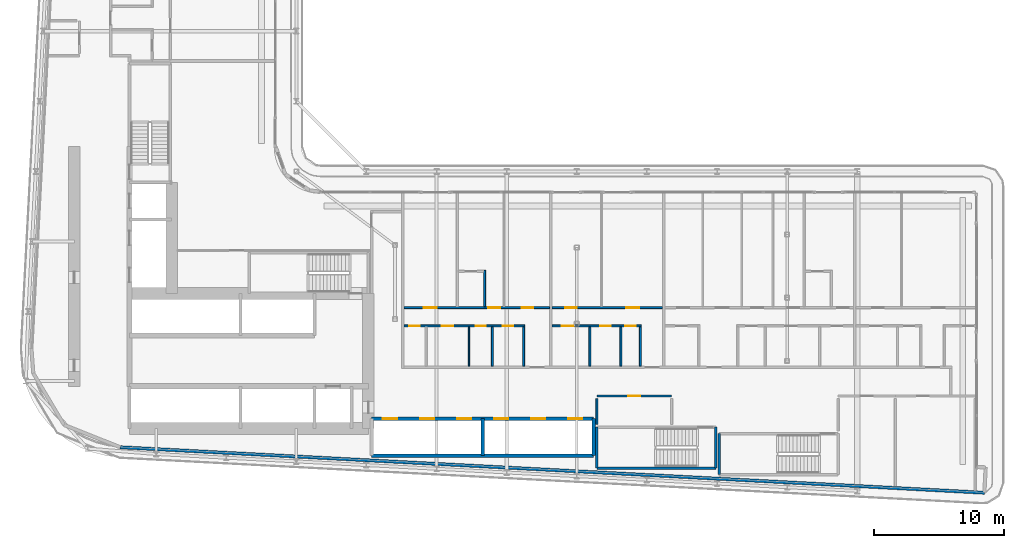
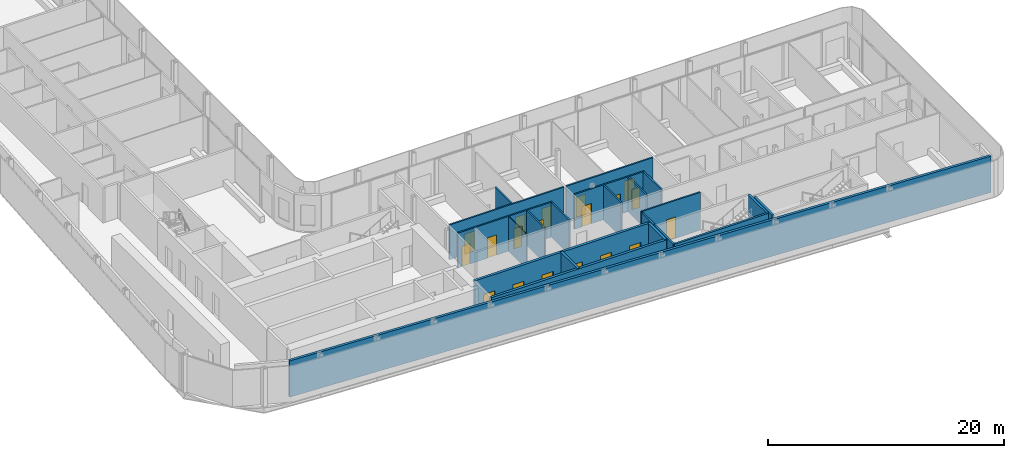
# One storey, part 13 of 25: 22 walls, 19 doors, 19 openings.
"""IFC4 building model written with IfcOpenShell, lengths in metres."""

from ifc_helpers import new_model, si_unit, direction, frame, frame_2d, origin, place, context, subcontext, project, spatial, rectangle, extrude, source, transform, mapped, material, layer, layer_set, type_object, element, fill, save


model = new_model("IFC4")

# Units and contexts
model_context = context("Model", 3, precision=1e-05, world=origin(), true_north=direction((0.0, 1.0)))
body_context = subcontext(model_context, "Body", "Model", "MODEL_VIEW")
ifc_project = project(units=[si_unit("LENGTHUNIT", "METRE"), si_unit("AREAUNIT", "SQUARE_METRE"), si_unit("VOLUMEUNIT", "CUBIC_METRE"), si_unit("PLANEANGLEUNIT", "RADIAN"), si_unit("MASSUNIT", "GRAM", prefix="KILO")], contexts=[model_context])

# Site, building, storey
site_placement = place(None, origin())
site = spatial("IfcSite", under=ifc_project, at=site_placement, CompositionType="ELEMENT")
building_placement = place(site_placement, origin())
building = spatial("IfcBuilding", under=site, at=building_placement, Name="Kheshtan School and Residences Tower", CompositionType="ELEMENT")
storey_placement = place(building_placement, frame((0.0, 0.0, 109.699951171875)))
storey = spatial("IfcBuildingStorey", under=building, at=storey_placement, Name="L25", CompositionType="ELEMENT", Elevation=109.699951171875)

# Walls
ifc_material_1 = material(Name="Concrete C40/50 with ceramic cladding and mineral wool insulation", Category="concrete")
ifc_layer_1 = layer(ifc_material_1, 0.25)
ifc_layer_set_1 = layer_set([ifc_layer_1], Name="External wall 250 ceramic clad")
wall_type_1 = type_object("IfcWallType", Name="External wall 250 ceramic clad", PredefinedType="SOLIDWALL", material=ifc_layer_set_1)
wall_1_placement = place(storey_placement, frame((100.5859375, 20.85009765625, 0.0), z_axis=(0.0, 0.0, 1.0), x_axis=(-0.99861746497, 0.052565755559, 0.0)))
element("IfcWall", 1, at=wall_1_placement, inside=storey, type_object=wall_type_1, Name="External wall L25 12", PredefinedType="SOLIDWALL", context=body_context, shape_type="SweptSolid", body=[
    extrude(rectangle(XDim=66.638916015625, YDim=0.25, at=frame_2d((33.3193359375, 0.0))), origin(), (0.0, 0.0, 1.0), 3.75),
])
ifc_material_2 = material(Name="Gypsum board on steel studs", Category="steel")
ifc_layer_2 = layer(ifc_material_2, 0.10009765625)
ifc_layer_set_2 = layer_set([ifc_layer_2], Name="Gypsum partition 100")
wall_type_2 = type_object("IfcWallType", Name="Gypsum partition 100", PredefinedType="PARTITIONING", material=ifc_layer_set_2)
wall_2_placement = place(storey_placement, frame((60.89990234375, 30.60009765625, 0.0), z_axis=(0.0, 0.0, 1.0), x_axis=(0.0, 1.0, 0.0)))
element("IfcWall", 2, at=wall_2_placement, inside=storey, type_object=wall_type_2, Name="Partition L25-039", PredefinedType="PARTITIONING", context=body_context, shape_type="SweptSolid", body=[
    extrude(rectangle(XDim=3.02490234375, YDim=0.10009765625, at=frame_2d((1.512451171875, 0.0))), origin(), (0.0, 0.0, 1.0), 3.60009765625),
])

# Wall, opening, door
ifc_material_3 = material(Name="Fire-board shaft wall system")
ifc_layer_3 = layer(ifc_material_3, 0.14990234375)
ifc_layer_set_3 = layer_set([ifc_layer_3], Name="Service room wall 150")
wall_type_3 = type_object("IfcWallType", Name="Service room wall 150", PredefinedType="PARTITIONING", material=ifc_layer_set_3)
wall_3_placement = place(storey_placement, frame((70.75, 28.300048828125, 0.0), z_axis=(0.0, 0.0, 1.0), x_axis=(1.0, 0.0, 0.0)))
wall_3 = element("IfcWall", 3, at=wall_3_placement, inside=storey, type_object=wall_type_3, Name="Service room wall", PredefinedType="PARTITIONING", context=body_context, shape_type="SweptSolid", body=[
    extrude(rectangle(XDim=5.760009765625, YDim=0.14990234375, at=frame_2d((2.8798828125, 0.0))), origin(), (0.0, 0.0, 1.0), 3.900146484375),
])
opening_1_placement = place(wall_3_placement, frame((2.429931640625, 0.0, 0.0)))
opening_1 = element("IfcOpeningElement", 4, at=opening_1_placement, cuts=wall_3, Name="Opening SR90", PredefinedType="OPENING", context=body_context, shape_type="SweptSolid", body=[
    extrude(rectangle(XDim=0.89990234375, YDim=2.199951171875, at=frame_2d((0.449951171875, 1.10009765625))), frame((0.0, 0.0849609375, 0.0), z_axis=(0.0, -1.0, 0.0), x_axis=(1.0, 0.0, 0.0)), (0.0, 0.0, 1.0), 0.169921875),
])
ifc_material_4 = material(Name="Steel door leaf, galvanised", Category="steel")
door_type_1 = type_object("IfcDoorType", Name="Service room door 900 steel 90 min", OperationType="SINGLE_SWING_LEFT", PredefinedType="DOOR", material=ifc_material_4)
shared_shape_1 = source(origin(), body_context, "Body", "SweptSolid", [
    extrude(rectangle(XDim=0.89990234375, YDim=2.199951171875, at=frame_2d((0.449951171875, 1.10009765625))), frame((0.0, 0.02490234375, 0.0), z_axis=(0.0, -1.0, 0.0), x_axis=(1.0, 0.0, 0.0)), (0.0, 0.0, 1.0), 0.050048828125),
])
door_1_placement = place(opening_1_placement, origin())
door_1 = element("IfcDoor", 5, at=door_1_placement, inside=storey, type_object=door_type_1, Name="Service room door", OperationType="SINGLE_SWING_LEFT", OverallHeight=2.199951171875, OverallWidth=0.89990234375, PredefinedType="DOOR", context=body_context, shape_type="MappedRepresentation", body=[
    mapped(shared_shape_1, transform((0.0, 0.0, 0.0), x_axis=(1.0, 0.0, 0.0), y_axis=(0.0, 1.0, 0.0), z_axis=(0.0, 0.0, 1.0), scale=1.0)),
])
fill(opening_1, door_1)

# Walls
wall_4_placement = place(storey_placement, frame((70.75, 26.1201171875, 0.0), z_axis=(0.0, 0.0, 1.0), x_axis=(0.0, 1.0, 0.0)))
element("IfcWall", 6, at=wall_4_placement, inside=storey, type_object=wall_type_3, Name="Service room wall", PredefinedType="PARTITIONING", context=body_context, shape_type="SweptSolid", body=[
    extrude(rectangle(XDim=1.98486328125, YDim=0.14990234375, at=frame_2d((0.992431640625, 0.0))), origin(), (0.0, 0.0, 1.0), 3.900146484375),
])
ifc_layer_4 = layer(ifc_material_3, 0.25)
ifc_layer_set_4 = layer_set([ifc_layer_4], Name="Shaft lining wall 250")
wall_type_4 = type_object("IfcWallType", Name="Shaft lining wall 250", PredefinedType="PARTITIONING", material=ifc_layer_set_4)
for number, where, z_axis, x_axis, name in (
    (7, (61.949951171875, 23.699951171875, 0.0), (0.0, 0.0, 1.0), (0.0, 1.0, 0.0), "Shaft lining wall"),
    (8, (70.5, 23.699951171875, 0.0), (0.0, 0.0, 1.0), (0.0, 1.0, 0.0), "Shaft lining wall"),
):
    element("IfcWall", number, at=place(storey_placement, frame(where, z_axis=z_axis, x_axis=x_axis)), inside=storey, type_object=wall_type_4, Name=name, PredefinedType="PARTITIONING", context=body_context, shape_type="SweptSolid", body=[
        extrude(rectangle(XDim=2.85009765625, YDim=0.25, at=frame_2d((1.425048828125, 0.0))), origin(), (0.0, 0.0, 1.0), 3.900146484375),
    ])
wall_5_placement = place(storey_placement, frame((53.39990234375, 23.699951171875, 0.0), z_axis=(0.0, 0.0, 1.0), x_axis=(1.0, 0.0, 0.0)))
element("IfcWall", 9, at=wall_5_placement, inside=storey, type_object=wall_type_4, Name="Shaft lining wall", PredefinedType="PARTITIONING", context=body_context, shape_type="SweptSolid", body=[
    extrude(rectangle(XDim=17.10009765625, YDim=0.25, at=frame_2d((8.550048828125, 0.0))), origin(), (0.0, 0.0, 1.0), 3.900146484375),
])

# Wall, openings, doors
wall_6_placement = place(storey_placement, frame((53.39990234375, 26.550048828125, 0.0), z_axis=(0.0, 0.0, 1.0), x_axis=(1.0, 0.0, 0.0)))
wall_6 = element("IfcWall", 10, at=wall_6_placement, inside=storey, type_object=wall_type_4, Name="Shaft lining wall", PredefinedType="PARTITIONING", context=body_context, shape_type="SweptSolid", body=[
    extrude(rectangle(XDim=17.10009765625, YDim=0.25, at=frame_2d((8.550048828125, 0.0))), origin(), (0.0, 0.0, 1.0), 3.900146484375),
])
opening_2_placement = place(wall_6_placement, frame((0.875, 0.0, 0.0)))
opening_2 = element("IfcOpeningElement", 11, at=opening_2_placement, cuts=wall_6, Name="Opening LD", PredefinedType="OPENING", context=body_context, shape_type="SweptSolid", body=[
    extrude(rectangle(XDim=1.10009765625, YDim=2.199951171875, at=frame_2d((0.550048828125, 1.10009765625))), frame((0.0, 0.135009765625, 0.0), z_axis=(0.0, -1.0, 0.0), x_axis=(1.0, 0.0, 0.0)), (0.0, 0.0, 1.0), 0.27001953125),
])
opening_3_placement = place(wall_6_placement, frame((3.72509765625, 0.0, 0.0)))
opening_3 = element("IfcOpeningElement", 12, at=opening_3_placement, cuts=wall_6, Name="Opening LD", PredefinedType="OPENING", context=body_context, shape_type="SweptSolid", body=[
    extrude(rectangle(XDim=1.10009765625, YDim=2.199951171875, at=frame_2d((0.550048828125, 1.10009765625))), frame((0.0, 0.135009765625, 0.0), z_axis=(0.0, -1.0, 0.0), x_axis=(1.0, 0.0, 0.0)), (0.0, 0.0, 1.0), 0.27001953125),
])
opening_4_placement = place(wall_6_placement, frame((6.574951171875, 0.0, 0.0)))
opening_4 = element("IfcOpeningElement", 13, at=opening_4_placement, cuts=wall_6, Name="Opening LD", PredefinedType="OPENING", context=body_context, shape_type="SweptSolid", body=[
    extrude(rectangle(XDim=1.10009765625, YDim=2.199951171875, at=frame_2d((0.550048828125, 1.10009765625))), frame((0.0, 0.135009765625, 0.0), z_axis=(0.0, -1.0, 0.0), x_axis=(1.0, 0.0, 0.0)), (0.0, 0.0, 1.0), 0.27001953125),
])
opening_5_placement = place(wall_6_placement, frame((9.425048828125, 0.0, 0.0)))
opening_5 = element("IfcOpeningElement", 14, at=opening_5_placement, cuts=wall_6, Name="Opening LD", PredefinedType="OPENING", context=body_context, shape_type="SweptSolid", body=[
    extrude(rectangle(XDim=1.10009765625, YDim=2.199951171875, at=frame_2d((0.550048828125, 1.10009765625))), frame((0.0, 0.135009765625, 0.0), z_axis=(0.0, -1.0, 0.0), x_axis=(1.0, 0.0, 0.0)), (0.0, 0.0, 1.0), 0.27001953125),
])
opening_6_placement = place(wall_6_placement, frame((12.27490234375, 0.0, 0.0)))
opening_6 = element("IfcOpeningElement", 15, at=opening_6_placement, cuts=wall_6, Name="Opening LD", PredefinedType="OPENING", context=body_context, shape_type="SweptSolid", body=[
    extrude(rectangle(XDim=1.10009765625, YDim=2.199951171875, at=frame_2d((0.550048828125, 1.10009765625))), frame((0.0, 0.135009765625, 0.0), z_axis=(0.0, -1.0, 0.0), x_axis=(1.0, 0.0, 0.0)), (0.0, 0.0, 1.0), 0.27001953125),
])
opening_7_placement = place(wall_6_placement, frame((15.125, 0.0, 0.0)))
opening_7 = element("IfcOpeningElement", 16, at=opening_7_placement, cuts=wall_6, Name="Opening LD", PredefinedType="OPENING", context=body_context, shape_type="SweptSolid", body=[
    extrude(rectangle(XDim=1.10009765625, YDim=2.199951171875, at=frame_2d((0.550048828125, 1.10009765625))), frame((0.0, 0.135009765625, 0.0), z_axis=(0.0, -1.0, 0.0), x_axis=(1.0, 0.0, 0.0)), (0.0, 0.0, 1.0), 0.27001953125),
])
ifc_material_5 = material(Name="Stainless steel door leaves", Category="steel")
door_type_2 = type_object("IfcDoorType", Name="Lift landing door 1100", OperationType="SLIDING_TO_LEFT", PredefinedType="DOOR", material=ifc_material_5)
shared_shape_2 = source(origin(), body_context, "Body", "SweptSolid", [
    extrude(rectangle(XDim=1.10009765625, YDim=2.199951171875, at=frame_2d((0.550048828125, 1.10009765625))), frame((0.0, 0.02490234375, 0.0), z_axis=(0.0, -1.0, 0.0), x_axis=(1.0, 0.0, 0.0)), (0.0, 0.0, 1.0), 0.050048828125),
])
door_2_placement = place(opening_2_placement, origin())
door_2 = element("IfcDoor", 17, at=door_2_placement, inside=storey, type_object=door_type_2, Name="Lift P1 landing door", OperationType="SLIDING_TO_LEFT", OverallHeight=2.199951171875, OverallWidth=1.10009765625, PredefinedType="DOOR", context=body_context, shape_type="MappedRepresentation", body=[
    mapped(shared_shape_2, transform((0.0, 0.0, 0.0), x_axis=(1.0, 0.0, 0.0), y_axis=(0.0, 1.0, 0.0), z_axis=(0.0, 0.0, 1.0), scale=1.0)),
])
fill(opening_2, door_2)
door_3_placement = place(opening_3_placement, origin())
door_3 = element("IfcDoor", 18, at=door_3_placement, inside=storey, type_object=door_type_2, Name="Lift P2 landing door", OperationType="SLIDING_TO_LEFT", OverallHeight=2.199951171875, OverallWidth=1.10009765625, PredefinedType="DOOR", context=body_context, shape_type="MappedRepresentation", body=[
    mapped(shared_shape_2, transform((0.0, 0.0, 0.0), x_axis=(1.0, 0.0, 0.0), y_axis=(0.0, 1.0, 0.0), z_axis=(0.0, 0.0, 1.0), scale=1.0)),
])
fill(opening_3, door_3)
door_4_placement = place(opening_4_placement, origin())
door_4 = element("IfcDoor", 19, at=door_4_placement, inside=storey, type_object=door_type_2, Name="Lift P3 landing door", OperationType="SLIDING_TO_LEFT", OverallHeight=2.199951171875, OverallWidth=1.10009765625, PredefinedType="DOOR", context=body_context, shape_type="MappedRepresentation", body=[
    mapped(shared_shape_2, transform((0.0, 0.0, 0.0), x_axis=(1.0, 0.0, 0.0), y_axis=(0.0, 1.0, 0.0), z_axis=(0.0, 0.0, 1.0), scale=1.0)),
])
fill(opening_4, door_4)
door_5_placement = place(opening_5_placement, origin())
door_5 = element("IfcDoor", 20, at=door_5_placement, inside=storey, type_object=door_type_2, Name="Lift P4 landing door", OperationType="SLIDING_TO_LEFT", OverallHeight=2.199951171875, OverallWidth=1.10009765625, PredefinedType="DOOR", context=body_context, shape_type="MappedRepresentation", body=[
    mapped(shared_shape_2, transform((0.0, 0.0, 0.0), x_axis=(1.0, 0.0, 0.0), y_axis=(0.0, 1.0, 0.0), z_axis=(0.0, 0.0, 1.0), scale=1.0)),
])
fill(opening_5, door_5)
door_6_placement = place(opening_6_placement, origin())
door_6 = element("IfcDoor", 21, at=door_6_placement, inside=storey, type_object=door_type_2, Name="Lift P5 landing door", OperationType="SLIDING_TO_LEFT", OverallHeight=2.199951171875, OverallWidth=1.10009765625, PredefinedType="DOOR", context=body_context, shape_type="MappedRepresentation", body=[
    mapped(shared_shape_2, transform((0.0, 0.0, 0.0), x_axis=(1.0, 0.0, 0.0), y_axis=(0.0, 1.0, 0.0), z_axis=(0.0, 0.0, 1.0), scale=1.0)),
])
fill(opening_6, door_6)
door_7_placement = place(opening_7_placement, origin())
door_7 = element("IfcDoor", 22, at=door_7_placement, inside=storey, type_object=door_type_2, Name="Lift P6 landing door", OperationType="SLIDING_TO_LEFT", OverallHeight=2.199951171875, OverallWidth=1.10009765625, PredefinedType="DOOR", context=body_context, shape_type="MappedRepresentation", body=[
    mapped(shared_shape_2, transform((0.0, 0.0, 0.0), x_axis=(1.0, 0.0, 0.0), y_axis=(0.0, 1.0, 0.0), z_axis=(0.0, 0.0, 1.0), scale=1.0)),
])
fill(opening_7, door_7)

# Walls
ifc_material_6 = material(Name="Concrete C40/50", Category="concrete")
ifc_layer_5 = layer(ifc_material_6, 0.199951171875)
ifc_layer_set_5 = layer_set([ifc_layer_5], Name="Stair enclosure wall 200 Concrete C40/50")
wall_type_5 = type_object("IfcWallType", Name="Stair enclosure wall 200 Concrete C40/50", PredefinedType="SHEAR", material=ifc_layer_set_5)
wall_7_placement = place(storey_placement, frame((80.159912109375, 22.25, 0.0), z_axis=(0.0, 0.0, 1.0), x_axis=(0.0, 1.0, 0.0)))
element("IfcWall", 23, at=wall_7_placement, inside=storey, type_object=wall_type_5, Name="Stair enclosure wall ST4", PredefinedType="SHEAR", context=body_context, shape_type="SweptSolid", body=[
    extrude(rectangle(XDim=3.14990234375, YDim=0.199951171875, at=frame_2d((1.574951171875, 0.0))), origin(), (0.0, 0.0, 1.0), 3.900146484375),
])
wall_8_placement = place(storey_placement, frame((70.75, 22.75, 0.0), z_axis=(0.0, 0.0, 1.0), x_axis=(1.0, 0.0, 0.0)))
element("IfcWall", 24, at=wall_8_placement, inside=storey, type_object=wall_type_5, Name="Stair enclosure wall ST5", PredefinedType="SHEAR", context=body_context, shape_type="SweptSolid", body=[
    extrude(rectangle(XDim=9.159912109375, YDim=0.199951171875, at=frame_2d((4.580078125, 0.0))), origin(), (0.0, 0.0, 1.0), 3.900146484375),
])
for number, where, z_axis, x_axis, name in (
    (25, (70.75, 22.75, 0.0), (0.0, 0.0, 1.0), (0.0, 1.0, 0.0), "Stair enclosure wall ST5"),
    (26, (79.909912109375, 22.75, 0.0), (0.0, 0.0, 1.0), (0.0, 1.0, 0.0), "Stair enclosure wall ST5"),
):
    element("IfcWall", number, at=place(storey_placement, frame(where, z_axis=z_axis, x_axis=x_axis)), inside=storey, type_object=wall_type_5, Name=name, PredefinedType="SHEAR", context=body_context, shape_type="SweptSolid", body=[
        extrude(rectangle(XDim=3.14990234375, YDim=0.199951171875, at=frame_2d((1.574951171875, 0.0))), origin(), (0.0, 0.0, 1.0), 3.900146484375),
    ])

# Wall, openings, doors
ifc_material_7 = material(Name="Moisture-resistant gypsum board on steel studs", Category="steel")
ifc_layer_6 = layer(ifc_material_7, 0.14990234375)
ifc_layer_set_6 = layer_set([ifc_layer_6], Name="Wet-room partition 150")
wall_type_6 = type_object("IfcWallType", Name="Wet-room partition 150", PredefinedType="PARTITIONING", material=ifc_layer_set_6)
wall_9_placement = place(storey_placement, frame((55.89990234375, 33.699951171875, 0.0), z_axis=(0.0, 0.0, 1.0), x_axis=(1.0, 0.0, 0.0)))
wall_9 = element("IfcWall", 27, at=wall_9_placement, inside=storey, type_object=wall_type_6, Name="Partition L25-034", PredefinedType="PARTITIONING", context=body_context, shape_type="SweptSolid", body=[
    extrude(rectangle(XDim=9.275146484375, YDim=0.14990234375, at=frame_2d((4.6376953125, 0.0))), origin(), (0.0, 0.0, 1.0), 3.60009765625),
])
opening_8_placement = place(wall_9_placement, frame((7.60009765625, 0.0, 0.0)))
opening_8 = element("IfcOpeningElement", 28, at=opening_8_placement, cuts=wall_9, Name="Opening D25-001", PredefinedType="OPENING", context=body_context, shape_type="SweptSolid", body=[
    extrude(rectangle(XDim=0.800048828125, YDim=2.10009765625, at=frame_2d((0.39990234375, 1.050048828125))), frame((0.0, 0.0849609375, 0.0), z_axis=(0.0, -1.0, 0.0), x_axis=(1.0, 0.0, 0.0)), (0.0, 0.0, 1.0), 0.169921875),
])
opening_9_placement = place(wall_9_placement, frame((2.89990234375, 0.0, 0.0)))
opening_9 = element("IfcOpeningElement", 29, at=opening_9_placement, cuts=wall_9, Name="Opening D25-005", PredefinedType="OPENING", context=body_context, shape_type="SweptSolid", body=[
    extrude(rectangle(XDim=0.89990234375, YDim=2.10009765625, at=frame_2d((0.449951171875, 1.050048828125))), frame((0.0, 0.0849609375, 0.0), z_axis=(0.0, -1.0, 0.0), x_axis=(1.0, 0.0, 0.0)), (0.0, 0.0, 1.0), 0.169921875),
])
opening_10_placement = place(wall_9_placement, frame((5.5, 0.0, 0.0)))
opening_10 = element("IfcOpeningElement", 30, at=opening_10_placement, cuts=wall_9, Name="Opening D25-008", PredefinedType="OPENING", context=body_context, shape_type="SweptSolid", body=[
    extrude(rectangle(XDim=0.800048828125, YDim=2.10009765625, at=frame_2d((0.39990234375, 1.050048828125))), frame((0.0, 0.0849609375, 0.0), z_axis=(0.0, -1.0, 0.0), x_axis=(1.0, 0.0, 0.0)), (0.0, 0.0, 1.0), 0.169921875),
])
opening_11_placement = place(wall_9_placement, frame((0.39990234375, 0.0, 0.0)))
opening_11 = element("IfcOpeningElement", 31, at=opening_11_placement, cuts=wall_9, Name="Opening D25-009", PredefinedType="OPENING", context=body_context, shape_type="SweptSolid", body=[
    extrude(rectangle(XDim=0.800048828125, YDim=2.10009765625, at=frame_2d((0.39990234375, 1.050048828125))), frame((0.0, 0.0849609375, 0.0), z_axis=(0.0, -1.0, 0.0), x_axis=(1.0, 0.0, 0.0)), (0.0, 0.0, 1.0), 0.169921875),
])
ifc_material_8 = material(Name="Veneered timber door leaf", Category="wood")
door_type_3 = type_object("IfcDoorType", Name="Door 800 x 2100", OperationType="SINGLE_SWING_LEFT", PredefinedType="DOOR", material=ifc_material_8)
shared_shape_3 = source(origin(), body_context, "Body", "SweptSolid", [
    extrude(rectangle(XDim=0.800048828125, YDim=2.10009765625, at=frame_2d((0.39990234375, 1.050048828125))), frame((0.0, 0.02490234375, 0.0), z_axis=(0.0, -1.0, 0.0), x_axis=(1.0, 0.0, 0.0)), (0.0, 0.0, 1.0), 0.050048828125),
])
door_8_placement = place(opening_8_placement, origin())
door_8 = element("IfcDoor", 32, at=door_8_placement, inside=storey, type_object=door_type_3, Name="Door D25-001", OperationType="SINGLE_SWING_LEFT", OverallHeight=2.10009765625, OverallWidth=0.800048828125, PredefinedType="DOOR", context=body_context, shape_type="MappedRepresentation", body=[
    mapped(shared_shape_3, transform((0.0, 0.0, 0.0), x_axis=(1.0, 0.0, 0.0), y_axis=(0.0, 1.0, 0.0), z_axis=(0.0, 0.0, 1.0), scale=1.0)),
])
fill(opening_8, door_8)
door_9_placement = place(opening_10_placement, origin())
door_9 = element("IfcDoor", 33, at=door_9_placement, inside=storey, type_object=door_type_3, Name="Door D25-008", OperationType="SINGLE_SWING_RIGHT", OverallHeight=2.10009765625, OverallWidth=0.800048828125, PredefinedType="DOOR", context=body_context, shape_type="MappedRepresentation", body=[
    mapped(shared_shape_3, transform((0.0, 0.0, 0.0), x_axis=(1.0, 0.0, 0.0), y_axis=(0.0, 1.0, 0.0), z_axis=(0.0, 0.0, 1.0), scale=1.0)),
])
fill(opening_10, door_9)
door_10_placement = place(opening_11_placement, origin())
door_10 = element("IfcDoor", 34, at=door_10_placement, inside=storey, type_object=door_type_3, Name="Door D25-009", OperationType="SINGLE_SWING_LEFT", OverallHeight=2.10009765625, OverallWidth=0.800048828125, PredefinedType="DOOR", context=body_context, shape_type="MappedRepresentation", body=[
    mapped(shared_shape_3, transform((0.0, 0.0, 0.0), x_axis=(1.0, 0.0, 0.0), y_axis=(0.0, 1.0, 0.0), z_axis=(0.0, 0.0, 1.0), scale=1.0)),
])
fill(opening_11, door_10)
door_type_4 = type_object("IfcDoorType", Name="Door 900 x 2100", OperationType="SINGLE_SWING_LEFT", PredefinedType="DOOR", material=ifc_material_8)
shared_shape_4 = source(origin(), body_context, "Body", "SweptSolid", [
    extrude(rectangle(XDim=0.89990234375, YDim=2.10009765625, at=frame_2d((0.449951171875, 1.050048828125))), frame((0.0, 0.02490234375, 0.0), z_axis=(0.0, -1.0, 0.0), x_axis=(1.0, 0.0, 0.0)), (0.0, 0.0, 1.0), 0.050048828125),
])
door_11_placement = place(opening_9_placement, origin())
door_11 = element("IfcDoor", 35, at=door_11_placement, inside=storey, type_object=door_type_4, Name="Door D25-005", OperationType="SINGLE_SWING_RIGHT", OverallHeight=2.10009765625, OverallWidth=0.89990234375, PredefinedType="DOOR", context=body_context, shape_type="MappedRepresentation", body=[
    mapped(shared_shape_4, transform((0.0, 0.0, 0.0), x_axis=(1.0, 0.0, 0.0), y_axis=(0.0, 1.0, 0.0), z_axis=(0.0, 0.0, 1.0), scale=1.0)),
])
fill(opening_9, door_11)

wall_10_placement = place(storey_placement, frame((55.89990234375, 35.10009765625, 0.0), z_axis=(0.0, 0.0, 1.0), x_axis=(1.0, 0.0, 0.0)))
wall_10 = element("IfcWall", 36, at=wall_10_placement, inside=storey, type_object=wall_type_6, Name="Partition L25-035", PredefinedType="PARTITIONING", context=body_context, shape_type="SweptSolid", body=[
    extrude(rectangle(XDim=11.2001953125, YDim=0.14990234375, at=frame_2d((5.60009765625, 0.0))), origin(), (0.0, 0.0, 1.0), 3.60009765625),
])
opening_12_placement = place(wall_10_placement, frame((9.050048828125, 0.0, 0.0)))
opening_12 = element("IfcOpeningElement", 37, at=opening_12_placement, cuts=wall_10, Name="Opening D25-002", PredefinedType="OPENING", context=body_context, shape_type="SweptSolid", body=[
    extrude(rectangle(XDim=0.89990234375, YDim=2.10009765625, at=frame_2d((0.449951171875, 1.050048828125))), frame((0.0, 0.0849609375, 0.0), z_axis=(0.0, -1.0, 0.0), x_axis=(1.0, 0.0, 0.0)), (0.0, 0.0, 1.0), 0.169921875),
])
opening_13_placement = place(wall_10_placement, frame((1.5, 0.0, 0.0)))
opening_13 = element("IfcOpeningElement", 38, at=opening_13_placement, cuts=wall_10, Name="Opening D25-006", PredefinedType="OPENING", context=body_context, shape_type="SweptSolid", body=[
    extrude(rectangle(XDim=1.0, YDim=2.10009765625, at=frame_2d((0.5, 1.050048828125))), frame((0.0, 0.0849609375, 0.0), z_axis=(0.0, -1.0, 0.0), x_axis=(1.0, 0.0, 0.0)), (0.0, 0.0, 1.0), 0.169921875),
])
opening_14_placement = place(wall_10_placement, frame((6.5, 0.0, 0.0)))
opening_14 = element("IfcOpeningElement", 39, at=opening_14_placement, cuts=wall_10, Name="Opening D25-007", PredefinedType="OPENING", context=body_context, shape_type="SweptSolid", body=[
    extrude(rectangle(XDim=0.89990234375, YDim=2.10009765625, at=frame_2d((0.449951171875, 1.050048828125))), frame((0.0, 0.0849609375, 0.0), z_axis=(0.0, -1.0, 0.0), x_axis=(1.0, 0.0, 0.0)), (0.0, 0.0, 1.0), 0.169921875),
])
door_type_5 = type_object("IfcDoorType", Name="Door 1000 x 2100", OperationType="SINGLE_SWING_LEFT", PredefinedType="DOOR", material=ifc_material_8)
shared_shape_5 = source(origin(), body_context, "Body", "SweptSolid", [
    extrude(rectangle(XDim=1.0, YDim=2.10009765625, at=frame_2d((0.5, 1.050048828125))), frame((0.0, 0.02490234375, 0.0), z_axis=(0.0, -1.0, 0.0), x_axis=(1.0, 0.0, 0.0)), (0.0, 0.0, 1.0), 0.050048828125),
])
door_12_placement = place(opening_13_placement, origin())
door_12 = element("IfcDoor", 40, at=door_12_placement, inside=storey, type_object=door_type_5, Name="Door D25-006", OperationType="SINGLE_SWING_RIGHT", OverallHeight=2.10009765625, OverallWidth=1.0, PredefinedType="DOOR", context=body_context, shape_type="MappedRepresentation", body=[
    mapped(shared_shape_5, transform((0.0, 0.0, 0.0), x_axis=(1.0, 0.0, 0.0), y_axis=(0.0, 1.0, 0.0), z_axis=(0.0, 0.0, 1.0), scale=1.0)),
])
fill(opening_13, door_12)
door_13_placement = place(opening_12_placement, origin())
door_13 = element("IfcDoor", 41, at=door_13_placement, inside=storey, type_object=door_type_4, Name="Door D25-002", OperationType="SINGLE_SWING_LEFT", OverallHeight=2.10009765625, OverallWidth=0.89990234375, PredefinedType="DOOR", context=body_context, shape_type="MappedRepresentation", body=[
    mapped(shared_shape_4, transform((0.0, 0.0, 0.0), x_axis=(1.0, 0.0, 0.0), y_axis=(0.0, 1.0, 0.0), z_axis=(0.0, 0.0, 1.0), scale=1.0)),
])
fill(opening_12, door_13)
door_14_placement = place(opening_14_placement, origin())
door_14 = element("IfcDoor", 42, at=door_14_placement, inside=storey, type_object=door_type_4, Name="Door D25-007", OperationType="SINGLE_SWING_RIGHT", OverallHeight=2.10009765625, OverallWidth=0.89990234375, PredefinedType="DOOR", context=body_context, shape_type="MappedRepresentation", body=[
    mapped(shared_shape_4, transform((0.0, 0.0, 0.0), x_axis=(1.0, 0.0, 0.0), y_axis=(0.0, 1.0, 0.0), z_axis=(0.0, 0.0, 1.0), scale=1.0)),
])
fill(opening_14, door_14)

# Walls
wall_11_placement = place(storey_placement, frame((62.10009765625, 35.175048828125, 0.0), z_axis=(0.0, 0.0, 1.0), x_axis=(0.0, 1.0, 0.0)))
element("IfcWall", 43, at=wall_11_placement, inside=storey, type_object=wall_type_6, Name="Partition L25-040", PredefinedType="PARTITIONING", context=body_context, shape_type="SweptSolid", body=[
    extrude(rectangle(XDim=2.800048828125, YDim=0.14990234375, at=frame_2d((1.39990234375, 0.0))), origin(), (0.0, 0.0, 1.0), 3.60009765625),
])
for number, where, z_axis, x_axis, name in (
    (44, (62.699951171875, 30.60009765625, 0.0), (0.0, 0.0, 1.0), (0.0, 1.0, 0.0), "Partition L25-041"),
    (45, (65.10009765625, 30.60009765625, 0.0), (0.0, 0.0, 1.0), (0.0, 1.0, 0.0), "Partition L25-043"),
):
    element("IfcWall", number, at=place(storey_placement, frame(where, z_axis=z_axis, x_axis=x_axis)), inside=storey, type_object=wall_type_6, Name=name, PredefinedType="PARTITIONING", context=body_context, shape_type="SweptSolid", body=[
        extrude(rectangle(XDim=3.02490234375, YDim=0.14990234375, at=frame_2d((1.512451171875, 0.0))), origin(), (0.0, 0.0, 1.0), 3.60009765625),
    ])

# Wall, openings, doors
wall_12_placement = place(storey_placement, frame((67.300048828125, 33.699951171875, 0.0), z_axis=(0.0, 0.0, 1.0), x_axis=(1.0, 0.0, 0.0)))
wall_12 = element("IfcWall", 46, at=wall_12_placement, inside=storey, type_object=wall_type_6, Name="Partition L25-045", PredefinedType="PARTITIONING", context=body_context, shape_type="SweptSolid", body=[
    extrude(rectangle(XDim=6.875, YDim=0.14990234375, at=frame_2d((3.4375, 0.0))), origin(), (0.0, 0.0, 1.0), 3.60009765625),
])
opening_15_placement = place(wall_12_placement, frame((3.699951171875, 0.0, 0.0)))
opening_15 = element("IfcOpeningElement", 47, at=opening_15_placement, cuts=wall_12, Name="Opening D25-010", PredefinedType="OPENING", context=body_context, shape_type="SweptSolid", body=[
    extrude(rectangle(XDim=0.800048828125, YDim=2.10009765625, at=frame_2d((0.39990234375, 1.050048828125))), frame((0.0, 0.0849609375, 0.0), z_axis=(0.0, -1.0, 0.0), x_axis=(1.0, 0.0, 0.0)), (0.0, 0.0, 1.0), 0.169921875),
])
opening_16_placement = place(wall_12_placement, frame((0.75, 0.0, 0.0)))
opening_16 = element("IfcOpeningElement", 48, at=opening_16_placement, cuts=wall_12, Name="Opening D25-013", PredefinedType="OPENING", context=body_context, shape_type="SweptSolid", body=[
    extrude(rectangle(XDim=0.89990234375, YDim=2.10009765625, at=frame_2d((0.449951171875, 1.050048828125))), frame((0.0, 0.0849609375, 0.0), z_axis=(0.0, -1.0, 0.0), x_axis=(1.0, 0.0, 0.0)), (0.0, 0.0, 1.0), 0.169921875),
])
opening_17_placement = place(wall_12_placement, frame((5.64990234375, 0.0, 0.0)))
opening_17 = element("IfcOpeningElement", 49, at=opening_17_placement, cuts=wall_12, Name="Opening D25-015", PredefinedType="OPENING", context=body_context, shape_type="SweptSolid", body=[
    extrude(rectangle(XDim=0.800048828125, YDim=2.10009765625, at=frame_2d((0.39990234375, 1.050048828125))), frame((0.0, 0.0849609375, 0.0), z_axis=(0.0, -1.0, 0.0), x_axis=(1.0, 0.0, 0.0)), (0.0, 0.0, 1.0), 0.169921875),
])
door_15_placement = place(opening_15_placement, origin())
door_15 = element("IfcDoor", 50, at=door_15_placement, inside=storey, type_object=door_type_3, Name="Door D25-010", OperationType="SINGLE_SWING_RIGHT", OverallHeight=2.10009765625, OverallWidth=0.800048828125, PredefinedType="DOOR", context=body_context, shape_type="MappedRepresentation", body=[
    mapped(shared_shape_3, transform((0.0, 0.0, 0.0), x_axis=(1.0, 0.0, 0.0), y_axis=(0.0, 1.0, 0.0), z_axis=(0.0, 0.0, 1.0), scale=1.0)),
])
fill(opening_15, door_15)
door_16_placement = place(opening_17_placement, origin())
door_16 = element("IfcDoor", 51, at=door_16_placement, inside=storey, type_object=door_type_3, Name="Door D25-015", OperationType="SINGLE_SWING_LEFT", OverallHeight=2.10009765625, OverallWidth=0.800048828125, PredefinedType="DOOR", context=body_context, shape_type="MappedRepresentation", body=[
    mapped(shared_shape_3, transform((0.0, 0.0, 0.0), x_axis=(1.0, 0.0, 0.0), y_axis=(0.0, 1.0, 0.0), z_axis=(0.0, 0.0, 1.0), scale=1.0)),
])
fill(opening_17, door_16)
door_17_placement = place(opening_16_placement, origin())
door_17 = element("IfcDoor", 52, at=door_17_placement, inside=storey, type_object=door_type_4, Name="Door D25-013", OperationType="SINGLE_SWING_RIGHT", OverallHeight=2.10009765625, OverallWidth=0.89990234375, PredefinedType="DOOR", context=body_context, shape_type="MappedRepresentation", body=[
    mapped(shared_shape_4, transform((0.0, 0.0, 0.0), x_axis=(1.0, 0.0, 0.0), y_axis=(0.0, 1.0, 0.0), z_axis=(0.0, 0.0, 1.0), scale=1.0)),
])
fill(opening_16, door_17)

wall_13_placement = place(storey_placement, frame((67.300048828125, 35.10009765625, 0.0), z_axis=(0.0, 0.0, 1.0), x_axis=(1.0, 0.0, 0.0)))
wall_13 = element("IfcWall", 53, at=wall_13_placement, inside=storey, type_object=wall_type_6, Name="Partition L25-046", PredefinedType="PARTITIONING", context=body_context, shape_type="SweptSolid", body=[
    extrude(rectangle(XDim=8.5, YDim=0.14990234375, at=frame_2d((4.25, 0.0))), origin(), (0.0, 0.0, 1.0), 3.60009765625),
])
opening_18_placement = place(wall_13_placement, frame((1.0, 0.0, 0.0)))
opening_18 = element("IfcOpeningElement", 54, at=opening_18_placement, cuts=wall_13, Name="Opening D25-011", PredefinedType="OPENING", context=body_context, shape_type="SweptSolid", body=[
    extrude(rectangle(XDim=0.89990234375, YDim=2.10009765625, at=frame_2d((0.449951171875, 1.050048828125))), frame((0.0, 0.0849609375, 0.0), z_axis=(0.0, -1.0, 0.0), x_axis=(1.0, 0.0, 0.0)), (0.0, 0.0, 1.0), 0.169921875),
])
opening_19_placement = place(wall_13_placement, frame((5.699951171875, 0.0, 0.0)))
opening_19 = element("IfcOpeningElement", 55, at=opening_19_placement, cuts=wall_13, Name="Opening D25-014", PredefinedType="OPENING", context=body_context, shape_type="SweptSolid", body=[
    extrude(rectangle(XDim=1.0, YDim=2.10009765625, at=frame_2d((0.5, 1.050048828125))), frame((0.0, 0.0849609375, 0.0), z_axis=(0.0, -1.0, 0.0), x_axis=(1.0, 0.0, 0.0)), (0.0, 0.0, 1.0), 0.169921875),
])
door_18_placement = place(opening_19_placement, origin())
door_18 = element("IfcDoor", 56, at=door_18_placement, inside=storey, type_object=door_type_5, Name="Door D25-014", OperationType="SINGLE_SWING_RIGHT", OverallHeight=2.10009765625, OverallWidth=1.0, PredefinedType="DOOR", context=body_context, shape_type="MappedRepresentation", body=[
    mapped(shared_shape_5, transform((0.0, 0.0, 0.0), x_axis=(1.0, 0.0, 0.0), y_axis=(0.0, 1.0, 0.0), z_axis=(0.0, 0.0, 1.0), scale=1.0)),
])
fill(opening_19, door_18)
door_19_placement = place(opening_18_placement, origin())
door_19 = element("IfcDoor", 57, at=door_19_placement, inside=storey, type_object=door_type_4, Name="Door D25-011", OperationType="SINGLE_SWING_RIGHT", OverallHeight=2.10009765625, OverallWidth=0.89990234375, PredefinedType="DOOR", context=body_context, shape_type="MappedRepresentation", body=[
    mapped(shared_shape_4, transform((0.0, 0.0, 0.0), x_axis=(1.0, 0.0, 0.0), y_axis=(0.0, 1.0, 0.0), z_axis=(0.0, 0.0, 1.0), scale=1.0)),
])
fill(opening_18, door_19)

# Walls
for number, where, z_axis, x_axis, name in (
    (58, (70.199951171875, 30.60009765625, 0.0), (0.0, 0.0, 1.0), (0.0, 1.0, 0.0), "Partition L25-047"),
    (59, (72.60009765625, 30.60009765625, 0.0), (0.0, 0.0, 1.0), (0.0, 1.0, 0.0), "Partition L25-049"),
    (60, (74.10009765625, 30.60009765625, 0.0), (0.0, 0.0, 1.0), (0.0, 1.0, 0.0), "Partition L25-050"),
):
    element("IfcWall", number, at=place(storey_placement, frame(where, z_axis=z_axis, x_axis=x_axis)), inside=storey, type_object=wall_type_6, Name=name, PredefinedType="PARTITIONING", context=body_context, shape_type="SweptSolid", body=[
        extrude(rectangle(XDim=3.02490234375, YDim=0.14990234375, at=frame_2d((1.512451171875, 0.0))), origin(), (0.0, 0.0, 1.0), 3.60009765625),
    ])

save(model, "model.ifc")
